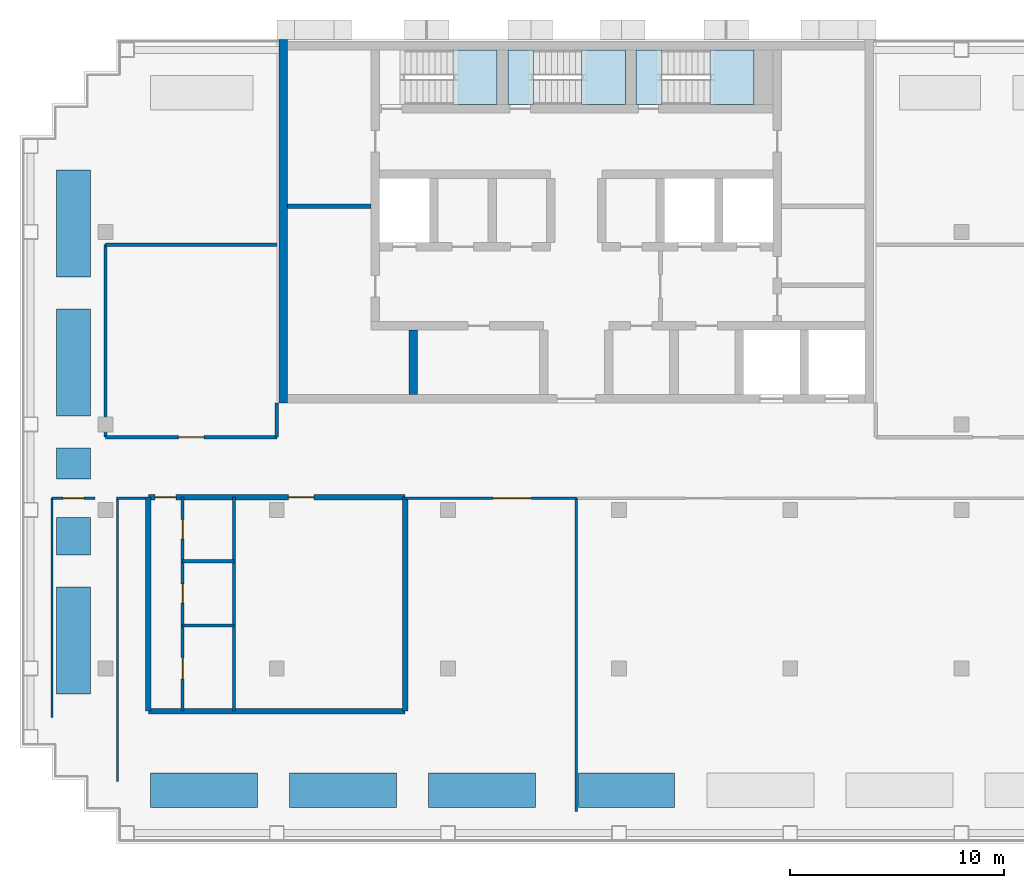
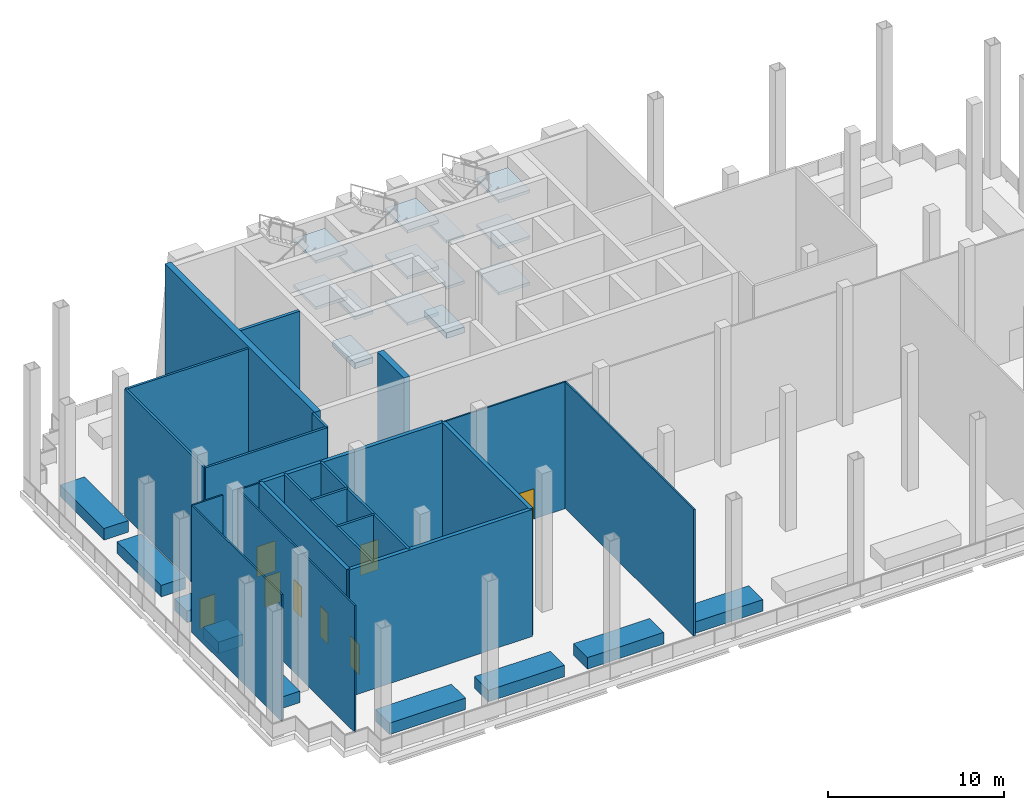
# One storey, part 2 of 9: 30 walls, 14 slabs, 8 doors, 8 openings, 3 elements without a shape of their own.
"""IFC4 building model written with IfcOpenShell, lengths in metres."""

from ifc_helpers import new_model, si_unit, direction, frame, frame_2d, origin, place, context, subcontext, project, spatial, polyline, rectangle, outline, extrude, material, layer, layer_set, type_object, element, fill, aggregate, save


model = new_model("IFC4")

# Units and contexts
model_context = context("Model", 3, precision=1e-05, world=origin(), true_north=direction((0.0, 1.0)))
body_context = subcontext(model_context, "Body", "Model", "MODEL_VIEW")
ifc_project = project(units=[si_unit("LENGTHUNIT", "METRE"), si_unit("AREAUNIT", "SQUARE_METRE"), si_unit("VOLUMEUNIT", "CUBIC_METRE"), si_unit("PLANEANGLEUNIT", "RADIAN"), si_unit("MASSUNIT", "GRAM", prefix="KILO")], contexts=[model_context])

# Site, building, storey
site_placement = place(None, origin())
site = spatial("IfcSite", under=ifc_project, at=site_placement, CompositionType="ELEMENT")
building_placement = place(site_placement, origin())
building = spatial("IfcBuilding", under=site, at=building_placement, Name="Vidyagriha Tower", CompositionType="ELEMENT")
storey_placement = place(building_placement, frame((0.0, 0.0, 194.10009765625)))
storey = spatial("IfcBuildingStorey", under=building, at=storey_placement, Name="L51", CompositionType="ELEMENT", Elevation=194.10009765625)

# Slabs
ifc_material_1 = material(Name="Concrete C40/50", Category="concrete")
ifc_layer_1 = layer(ifc_material_1, 0.39990234375)
ifc_layer_set_1 = layer_set([ifc_layer_1], Name="Concrete C40/50")
slab_type_1 = type_object("IfcSlabType", Name="Exit stair floor landing 400 mm", PredefinedType="LANDING", material=ifc_layer_set_1)
slab_1_placement = place(storey_placement, frame((0.0, 0.0, -0.400146484375)))
element("IfcSlab", 1, at=slab_1_placement, inside=storey, type_object=slab_type_1, Name="ST2 floor landing L51", PredefinedType="LANDING", context=body_context, shape_type="SweptSolid", body=[
    extrude(outline(polyline([(-3.199951171875, 16.949951171875), (-2.0, 16.949951171875), (-2.0, 19.5), (-3.199951171875, 19.5), (-3.199951171875, 16.949951171875)])), origin(), (0.0, 0.0, 1.0), 0.400146484375),
])
slab_2_placement = place(storey_placement, frame((0.0, 0.0, -0.400146484375)))
element("IfcSlab", 2, at=slab_2_placement, inside=storey, type_object=slab_type_1, Name="ST3 floor landing L51", PredefinedType="LANDING", context=body_context, shape_type="SweptSolid", body=[
    extrude(outline(polyline([(2.800048828125, 16.949951171875), (4.0, 16.949951171875), (4.0, 19.5), (2.800048828125, 19.5), (2.800048828125, 16.949951171875)])), origin(), (0.0, 0.0, 1.0), 0.400146484375),
])

# Stair, slabs
ifc_material_2 = material(Name="Concrete C40/50", Category="concrete")
stair_type = type_object("IfcStairType", Name="Exit stair, half-turn, precast flights", PredefinedType="HALF_TURN_STAIR", material=ifc_material_2)
stair_1_placement = place(storey_placement, origin())
stair_1 = element("IfcStair", 3, at=stair_1_placement, inside=storey, type_object=stair_type, Name="L51 Exit Stair ST1", PredefinedType="HALF_TURN_STAIR")
ifc_material_3 = material(Name="Concrete C40/50", Category="concrete")
ifc_layer_2 = layer(ifc_material_3, 0.199951171875)
ifc_layer_set_2 = layer_set([ifc_layer_2], Name="Concrete C40/50")
slab_type_2 = type_object("IfcSlabType", Name="Exit stair landing 200 mm", PredefinedType="LANDING", material=ifc_layer_set_2)
slab_3_placement = place(storey_placement, frame((0.0, 0.0, 4.599853515625)))
slab_3 = element("IfcSlab", 4, at=slab_3_placement, type_object=slab_type_2, Name="ST1 landing 3", PredefinedType="LANDING", context=body_context, shape_type="SweptSolid", body=[
    extrude(outline(polyline([(-5.760009765625, 16.949951171875), (-3.699951171875, 16.949951171875), (-3.699951171875, 19.5), (-5.760009765625, 19.5), (-5.760009765625, 16.949951171875)])), origin(), (0.0, 0.0, 1.0), 0.199951171875),
])
slab_4_placement = place(storey_placement, frame((0.0, 0.0, 7.7998046875)))
slab_4 = element("IfcSlab", 5, at=slab_4_placement, type_object=slab_type_2, Name="ST1 landing 5", PredefinedType="LANDING", context=body_context, shape_type="SweptSolid", body=[
    extrude(outline(polyline([(-5.760009765625, 16.949951171875), (-3.699951171875, 16.949951171875), (-3.699951171875, 19.5), (-5.760009765625, 19.5), (-5.760009765625, 16.949951171875)])), origin(), (0.0, 0.0, 1.0), 0.2001953125),
])
aggregate(stair_1, [slab_3, slab_4])

stair_2_placement = place(storey_placement, origin())
stair_2 = element("IfcStair", 6, at=stair_2_placement, inside=storey, type_object=stair_type, Name="L51 Exit Stair ST2", PredefinedType="HALF_TURN_STAIR")
slab_5_placement = place(storey_placement, frame((0.0, 0.0, 1.39990234375)))
slab_5 = element("IfcSlab", 7, at=slab_5_placement, type_object=slab_type_2, Name="ST2 landing 1", PredefinedType="LANDING", context=body_context, shape_type="SweptSolid", body=[
    extrude(outline(polyline([(0.239990234375, 16.949951171875), (2.300048828125, 16.949951171875), (2.300048828125, 19.5), (0.239990234375, 19.5), (0.239990234375, 16.949951171875)])), origin(), (0.0, 0.0, 1.0), 0.199951171875),
])
slab_6_placement = place(storey_placement, frame((0.0, 0.0, 3.0)))
slab_6 = element("IfcSlab", 8, at=slab_6_placement, type_object=slab_type_2, Name="ST2 landing 2", PredefinedType="LANDING", context=body_context, shape_type="SweptSolid", body=[
    extrude(outline(polyline([(-3.199951171875, 16.949951171875), (-2.0, 16.949951171875), (-2.0, 19.5), (-3.199951171875, 19.5), (-3.199951171875, 16.949951171875)])), origin(), (0.0, 0.0, 1.0), 0.199951171875),
])
slab_7_placement = place(storey_placement, frame((0.0, 0.0, 4.599853515625)))
slab_7 = element("IfcSlab", 9, at=slab_7_placement, type_object=slab_type_2, Name="ST2 landing 3", PredefinedType="LANDING", context=body_context, shape_type="SweptSolid", body=[
    extrude(outline(polyline([(0.239990234375, 16.949951171875), (2.300048828125, 16.949951171875), (2.300048828125, 19.5), (0.239990234375, 19.5), (0.239990234375, 16.949951171875)])), origin(), (0.0, 0.0, 1.0), 0.199951171875),
])
slab_8_placement = place(storey_placement, frame((0.0, 0.0, 6.199951171875)))
slab_8 = element("IfcSlab", 10, at=slab_8_placement, type_object=slab_type_2, Name="ST2 landing 4", PredefinedType="LANDING", context=body_context, shape_type="SweptSolid", body=[
    extrude(outline(polyline([(-3.199951171875, 16.949951171875), (-2.0, 16.949951171875), (-2.0, 19.5), (-3.199951171875, 19.5), (-3.199951171875, 16.949951171875)])), origin(), (0.0, 0.0, 1.0), 0.199951171875),
])
slab_9_placement = place(storey_placement, frame((0.0, 0.0, 7.7998046875)))
slab_9 = element("IfcSlab", 11, at=slab_9_placement, type_object=slab_type_2, Name="ST2 landing 5", PredefinedType="LANDING", context=body_context, shape_type="SweptSolid", body=[
    extrude(outline(polyline([(0.239990234375, 16.949951171875), (2.300048828125, 16.949951171875), (2.300048828125, 19.5), (0.239990234375, 19.5), (0.239990234375, 16.949951171875)])), origin(), (0.0, 0.0, 1.0), 0.2001953125),
])
aggregate(stair_2, [slab_5, slab_6, slab_7, slab_8, slab_9])

stair_3_placement = place(storey_placement, origin())
stair_3 = element("IfcStair", 12, at=stair_3_placement, inside=storey, type_object=stair_type, Name="L51 Exit Stair ST3", PredefinedType="HALF_TURN_STAIR")
slab_10_placement = place(storey_placement, frame((0.0, 0.0, 1.39990234375)))
slab_10 = element("IfcSlab", 13, at=slab_10_placement, type_object=slab_type_2, Name="ST3 landing 1", PredefinedType="LANDING", context=body_context, shape_type="SweptSolid", body=[
    extrude(outline(polyline([(6.239990234375, 16.949951171875), (8.300048828125, 16.949951171875), (8.300048828125, 19.5), (6.239990234375, 19.5), (6.239990234375, 16.949951171875)])), origin(), (0.0, 0.0, 1.0), 0.199951171875),
])
slab_11_placement = place(storey_placement, frame((0.0, 0.0, 3.0)))
slab_11 = element("IfcSlab", 14, at=slab_11_placement, type_object=slab_type_2, Name="ST3 landing 2", PredefinedType="LANDING", context=body_context, shape_type="SweptSolid", body=[
    extrude(outline(polyline([(2.800048828125, 16.949951171875), (4.0, 16.949951171875), (4.0, 19.5), (2.800048828125, 19.5), (2.800048828125, 16.949951171875)])), origin(), (0.0, 0.0, 1.0), 0.199951171875),
])
slab_12_placement = place(storey_placement, frame((0.0, 0.0, 4.599853515625)))
slab_12 = element("IfcSlab", 15, at=slab_12_placement, type_object=slab_type_2, Name="ST3 landing 3", PredefinedType="LANDING", context=body_context, shape_type="SweptSolid", body=[
    extrude(outline(polyline([(6.239990234375, 16.949951171875), (8.300048828125, 16.949951171875), (8.300048828125, 19.5), (6.239990234375, 19.5), (6.239990234375, 16.949951171875)])), origin(), (0.0, 0.0, 1.0), 0.199951171875),
])
slab_13_placement = place(storey_placement, frame((0.0, 0.0, 6.199951171875)))
slab_13 = element("IfcSlab", 16, at=slab_13_placement, type_object=slab_type_2, Name="ST3 landing 4", PredefinedType="LANDING", context=body_context, shape_type="SweptSolid", body=[
    extrude(outline(polyline([(2.800048828125, 16.949951171875), (4.0, 16.949951171875), (4.0, 19.5), (2.800048828125, 19.5), (2.800048828125, 16.949951171875)])), origin(), (0.0, 0.0, 1.0), 0.199951171875),
])
slab_14_placement = place(storey_placement, frame((0.0, 0.0, 7.7998046875)))
slab_14 = element("IfcSlab", 17, at=slab_14_placement, type_object=slab_type_2, Name="ST3 landing 5", PredefinedType="LANDING", context=body_context, shape_type="SweptSolid", body=[
    extrude(outline(polyline([(6.239990234375, 16.949951171875), (8.300048828125, 16.949951171875), (8.300048828125, 19.5), (6.239990234375, 19.5), (6.239990234375, 16.949951171875)])), origin(), (0.0, 0.0, 1.0), 0.2001953125),
])
aggregate(stair_3, [slab_10, slab_11, slab_12, slab_13, slab_14])

# Walls
ifc_material_4 = material(Name="Precast concrete C40/50 with brick facing", Category="concrete")
ifc_layer_3 = layer(ifc_material_4, 1.60009765625)
ifc_layer_set_3 = layer_set([ifc_layer_3], Name="Precast concrete C40/50 with brick facing")
wall_type_1 = type_object("IfcWallType", Name="Brick planter box 1600", PredefinedType="STANDARD", material=ifc_layer_set_3)
for number, where, z_axis, x_axis, name in (
    (18, (-23.5, 13.89990234375, 0.0), (0.0, 0.0, 1.0), (0.0, -1.0, 0.0), "PLANTER L51 5"),
    (19, (-23.5, 7.39990234375, 0.0), (0.0, 0.0, 1.0), (0.0, -1.0, 0.0), "PLANTER L51 6"),
    (20, (-23.5, -5.60009765625, 0.0), (0.0, 0.0, 1.0), (0.0, -1.0, 0.0), "PLANTER L51 8"),
):
    element("IfcWall", number, at=place(storey_placement, frame(where, z_axis=z_axis, x_axis=x_axis)), inside=storey, type_object=wall_type_1, Name=name, PredefinedType="STANDARD", context=body_context, shape_type="SweptSolid", body=[
        extrude(rectangle(XDim=5.0, YDim=1.60009765625, at=frame_2d((2.5, 0.0))), origin(), (0.0, 0.0, 1.0), 0.7998046875),
    ])
for number, where, name in (
    (21, (-19.89990234375, -15.10009765625, 0.0), "PLANTER L51 9"),
    (22, (-13.39990234375, -15.10009765625, 0.0), "PLANTER L51 10"),
    (23, (-6.89990234375, -15.10009765625, 0.0), "PLANTER L51 11"),
):
    element("IfcWall", number, at=place(storey_placement, frame(where)), inside=storey, type_object=wall_type_1, Name=name, PredefinedType="STANDARD", context=body_context, shape_type="SweptSolid", body=[
        extrude(rectangle(XDim=5.0, YDim=1.60009765625, at=frame_2d((2.5, 0.0))), origin(), (0.0, 0.0, 1.0), 0.7998046875),
    ])
wall_1_placement = place(storey_placement, frame((-23.5, 0.89990234375, 0.0), z_axis=(0.0, 0.0, 1.0), x_axis=(0.0, -1.0, 0.0)))
element("IfcWall", 24, at=wall_1_placement, inside=storey, type_object=wall_type_1, Name="PLANTER L51 7", PredefinedType="STANDARD", context=body_context, shape_type="SweptSolid", body=[
    extrude(rectangle(XDim=1.449951171875, YDim=1.60009765625, at=frame_2d((0.72509765625, 0.0))), origin(), (0.0, 0.0, 1.0), 0.7998046875),
])
wall_2_placement = place(storey_placement, frame((-23.5, -2.35009765625, 0.0), z_axis=(0.0, 0.0, 1.0), x_axis=(0.0, -1.0, 0.0)))
element("IfcWall", 25, at=wall_2_placement, inside=storey, type_object=wall_type_1, Name="PLANTER L51 7", PredefinedType="STANDARD", context=body_context, shape_type="SweptSolid", body=[
    extrude(rectangle(XDim=1.75, YDim=1.60009765625, at=frame_2d((0.875, 0.0))), origin(), (0.0, 0.0, 1.0), 0.7998046875),
])
wall_3_placement = place(storey_placement, frame((0.10009765625, -15.10009765625, 0.0)))
element("IfcWall", 26, at=wall_3_placement, inside=storey, type_object=wall_type_1, Name="PLANTER L51 12", PredefinedType="STANDARD", context=body_context, shape_type="SweptSolid", body=[
    extrude(rectangle(XDim=4.5, YDim=1.60009765625, at=frame_2d((2.25, 0.0))), origin(), (0.0, 0.0, 1.0), 0.7998046875),
])
ifc_material_5 = material(Name="Concrete C60/75", Category="concrete")
ifc_layer_4 = layer(ifc_material_5, 0.39990234375)
ifc_layer_set_4 = layer_set([ifc_layer_4], Name="Concrete C60/75")
wall_type_2 = type_object("IfcWallType", Name="Core shear wall 400 mm", PredefinedType="SHEAR", material=ifc_layer_set_4)
wall_4_placement = place(storey_placement, frame((-13.699951171875, 3.0, 0.0), z_axis=(0.0, 0.0, 1.0), x_axis=(0.0, 1.0, 0.0)))
element("IfcWall", 27, at=wall_4_placement, inside=storey, type_object=wall_type_2, Name="Core west wall", PredefinedType="SHEAR", context=body_context, shape_type="SweptSolid", body=[
    extrude(rectangle(XDim=17.0, YDim=0.39990234375, at=frame_2d((8.5, 0.0))), origin(), (0.0, 0.0, 1.0), 8.7998046875),
])
wall_5_placement = place(storey_placement, frame((-7.611083984375, 3.39990234375, 0.0), z_axis=(0.0, 0.0, 1.0), x_axis=(0.0, 1.0, 0.0)))
element("IfcWall", 28, at=wall_5_placement, inside=storey, type_object=wall_type_2, Name="Core bay wall S2", PredefinedType="SHEAR", context=body_context, shape_type="SweptSolid", body=[
    extrude(rectangle(XDim=3.0, YDim=0.39990234375, at=frame_2d((1.5, 0.0))), origin(), (0.0, 0.0, 1.0), 8.7998046875),
])
ifc_material_6 = material(Name="Fired clay brick masonry", Category="masonry")
ifc_layer_5 = layer(ifc_material_6, 0.25)
ifc_layer_set_5 = layer_set([ifc_layer_5], Name="Fired clay brick masonry")
wall_type_3 = type_object("IfcWallType", Name="Fired clay brick corridor wall 250", PredefinedType="PARTITIONING", material=ifc_layer_set_5)
wall_6_placement = place(storey_placement, frame((-20.0, -11.39990234375, 0.0)))
element("IfcWall", 29, at=wall_6_placement, inside=storey, type_object=wall_type_3, Name="Wall all-L51-w001", PredefinedType="PARTITIONING", context=body_context, shape_type="SweptSolid", body=[
    extrude(rectangle(XDim=12.0, YDim=0.25, at=frame_2d((6.0, 0.0))), origin(), (0.0, 0.0, 1.0), 8.7998046875),
])
for number, where, z_axis, x_axis, name in (
    (30, (-20.0, -1.39990234375, 0.0), (0.0, 0.0, 1.0), (0.0, -1.0, 0.0), "Wall all-L51-w002"),
    (31, (-8.0, -11.39990234375, 0.0), (0.0, 0.0, 1.0), (0.0, 1.0, 0.0), "Wall all-L51-w003"),
):
    element("IfcWall", number, at=place(storey_placement, frame(where, z_axis=z_axis, x_axis=x_axis)), inside=storey, type_object=wall_type_3, Name=name, PredefinedType="PARTITIONING", context=body_context, shape_type="SweptSolid", body=[
        extrude(rectangle(XDim=10.0, YDim=0.25, at=frame_2d((5.0, 0.0))), origin(), (0.0, 0.0, 1.0), 8.7998046875),
    ])

# Wall, openings, doors
wall_7_placement = place(storey_placement, frame((-8.0, -1.39990234375, 0.0), z_axis=(0.0, 0.0, 1.0), x_axis=(-1.0, 0.0, 0.0)))
wall_7 = element("IfcWall", 32, at=wall_7_placement, inside=storey, type_object=wall_type_3, Name="Wall all-L51-w004", PredefinedType="PARTITIONING", context=body_context, shape_type="SweptSolid", body=[
    extrude(rectangle(XDim=12.0, YDim=0.25, at=frame_2d((6.0, 0.0))), origin(), (0.0, 0.0, 1.0), 8.7998046875),
])
opening_1_placement = place(wall_7_placement, frame((10.699951171875, 0.0, 0.0)))
opening_1 = element("IfcOpeningElement", 33, at=opening_1_placement, cuts=wall_7, Name="Opening D51-17", PredefinedType="OPENING", context=body_context, shape_type="SweptSolid", body=[
    extrude(rectangle(XDim=1.0, YDim=2.10009765625, at=frame_2d((0.5, 1.050048828125))), frame((0.0, 0.135009765625, 0.0), z_axis=(0.0, -1.0, 0.0), x_axis=(1.0, 0.0, 0.0)), (0.0, 0.0, 1.0), 0.27001953125),
])
opening_2_placement = place(wall_7_placement, frame((4.2529296875, 0.0, 0.0)))
opening_2 = element("IfcOpeningElement", 34, at=opening_2_placement, cuts=wall_7, Name="Opening D51-18", PredefinedType="OPENING", context=body_context, shape_type="SweptSolid", body=[
    extrude(rectangle(XDim=1.199951171875, YDim=2.10009765625, at=frame_2d((0.60009765625, 1.050048828125))), frame((0.0, 0.135009765625, 0.0), z_axis=(0.0, -1.0, 0.0), x_axis=(1.0, 0.0, 0.0)), (0.0, 0.0, 1.0), 0.27001953125),
])
ifc_material_7 = material(Name="Timber door leaf", Category="wood")
door_type_1 = type_object("IfcDoorType", Name="Bathroom door 1000x2100", OperationType="NOTDEFINED", PredefinedType="DOOR", material=ifc_material_7)
door_1_placement = place(opening_1_placement, origin())
door_1 = element("IfcDoor", 35, at=door_1_placement, inside=storey, type_object=door_type_1, Name="Door D51-17", OperationType="SINGLE_SWING_LEFT", OverallHeight=2.10009765625, OverallWidth=1.0, PredefinedType="DOOR", context=body_context, shape_type="SweptSolid", body=[
    extrude(rectangle(XDim=1.0, YDim=2.10009765625, at=frame_2d((0.5, 1.050048828125))), frame((0.0, 0.02490234375, 0.0), z_axis=(0.0, -1.0, 0.0), x_axis=(1.0, 0.0, 0.0)), (0.0, 0.0, 1.0), 0.050048828125),
])
fill(opening_1, door_1)
ifc_material_8 = material(Name="Timber door leaf", Category="wood")
door_type_2 = type_object("IfcDoorType", Name="Room door 1200x2100", OperationType="NOTDEFINED", PredefinedType="DOOR", material=ifc_material_8)
door_2_placement = place(opening_2_placement, origin())
door_2 = element("IfcDoor", 36, at=door_2_placement, inside=storey, type_object=door_type_2, Name="Door D51-18", OperationType="SINGLE_SWING_RIGHT", OverallHeight=2.10009765625, OverallWidth=1.199951171875, PredefinedType="DOOR", context=body_context, shape_type="SweptSolid", body=[
    extrude(rectangle(XDim=1.199951171875, YDim=2.10009765625, at=frame_2d((0.60009765625, 1.050048828125))), frame((0.0, 0.02490234375, 0.0), z_axis=(0.0, -1.0, 0.0), x_axis=(1.0, 0.0, 0.0)), (0.0, 0.0, 1.0), 0.050048828125),
])
fill(opening_2, door_2)

# Wall, opening, door
ifc_material_9 = material(Name="Glass clear low-iron", Category="glass")
ifc_layer_6 = layer(ifc_material_9, 0.10009765625)
ifc_layer_set_6 = layer_set([ifc_layer_6], Name="Glass clear low-iron")
wall_type_4 = type_object("IfcWallType", Name="Glazed partition 100", PredefinedType="PARTITIONING", material=ifc_layer_set_6)
wall_8_placement = place(storey_placement, frame((-24.5, -1.449951171875, 0.0)))
wall_8 = element("IfcWall", 37, at=wall_8_placement, inside=storey, type_object=wall_type_4, Name="Wall all-L51-w024", PredefinedType="PARTITIONING", context=body_context, shape_type="SweptSolid", body=[
    extrude(rectangle(XDim=2.0, YDim=0.10009765625, at=frame_2d((1.0, 0.0))), origin(), (0.0, 0.0, 1.0), 8.7998046875),
])
opening_3_placement = place(wall_8_placement, frame((0.5, 0.0, 0.0)))
opening_3 = element("IfcOpeningElement", 38, at=opening_3_placement, cuts=wall_8, Name="Opening D51-24", PredefinedType="OPENING", context=body_context, shape_type="SweptSolid", body=[
    extrude(rectangle(XDim=1.0, YDim=2.10009765625, at=frame_2d((0.5, 1.050048828125))), frame((0.0, 0.06005859375, 0.0), z_axis=(0.0, -1.0, 0.0), x_axis=(1.0, 0.0, 0.0)), (0.0, 0.0, 1.0), 0.1201171875),
])
ifc_material_10 = material(Name="Timber door leaf", Category="wood")
door_type_3 = type_object("IfcDoorType", Name="Room door 1000x2100", OperationType="NOTDEFINED", PredefinedType="DOOR", material=ifc_material_10)
door_3_placement = place(opening_3_placement, origin())
door_3 = element("IfcDoor", 39, at=door_3_placement, inside=storey, type_object=door_type_3, Name="Door D51-24", OperationType="SINGLE_SWING_LEFT", OverallHeight=2.10009765625, OverallWidth=1.0, PredefinedType="DOOR", context=body_context, shape_type="SweptSolid", body=[
    extrude(rectangle(XDim=1.0, YDim=2.10009765625, at=frame_2d((0.5, 1.050048828125))), frame((0.0, 0.02490234375, 0.0), z_axis=(0.0, -1.0, 0.0), x_axis=(1.0, 0.0, 0.0)), (0.0, 0.0, 1.0), 0.050048828125),
])
fill(opening_3, door_3)

# Wall
wall_9_placement = place(storey_placement, frame((-21.5, -1.449951171875, 0.0)))
element("IfcWall", 40, at=wall_9_placement, inside=storey, type_object=wall_type_4, Name="Wall all-L51-w025", PredefinedType="PARTITIONING", context=body_context, shape_type="SweptSolid", body=[
    extrude(rectangle(XDim=1.39990234375, YDim=0.10009765625, at=frame_2d((0.699951171875, 0.0))), origin(), (0.0, 0.0, 1.0), 8.7998046875),
])

# Wall, opening, door
wall_10_placement = place(storey_placement, frame((-8.0, -1.449951171875, 0.0)))
wall_10 = element("IfcWall", 41, at=wall_10_placement, inside=storey, type_object=wall_type_4, Name="Wall all-L51-w026", PredefinedType="PARTITIONING", context=body_context, shape_type="SweptSolid", body=[
    extrude(rectangle(XDim=8.0, YDim=0.10009765625, at=frame_2d((4.0, 0.0))), origin(), (0.0, 0.0, 1.0), 8.7998046875),
])
opening_4_placement = place(wall_10_placement, frame((4.10009765625, 0.0, 0.0)))
opening_4 = element("IfcOpeningElement", 42, at=opening_4_placement, cuts=wall_10, Name="Opening D51-25", PredefinedType="OPENING", context=body_context, shape_type="SweptSolid", body=[
    extrude(rectangle(XDim=1.800048828125, YDim=2.10009765625, at=frame_2d((0.89990234375, 1.050048828125))), frame((0.0, 0.06005859375, 0.0), z_axis=(0.0, -1.0, 0.0), x_axis=(1.0, 0.0, 0.0)), (0.0, 0.0, 1.0), 0.1201171875),
])
ifc_material_11 = material(Name="Timber door leaf", Category="wood")
door_type_4 = type_object("IfcDoorType", Name="Room door 1800x2100", OperationType="NOTDEFINED", PredefinedType="DOOR", material=ifc_material_11)
door_4_placement = place(opening_4_placement, origin())
door_4 = element("IfcDoor", 43, at=door_4_placement, inside=storey, type_object=door_type_4, Name="Door D51-25", OperationType="DOUBLE_DOOR_SINGLE_SWING", OverallHeight=2.10009765625, OverallWidth=1.800048828125, PredefinedType="DOOR", context=body_context, shape_type="SweptSolid", body=[
    extrude(rectangle(XDim=1.800048828125, YDim=2.10009765625, at=frame_2d((0.89990234375, 1.050048828125))), frame((0.0, 0.02490234375, 0.0), z_axis=(0.0, -1.0, 0.0), x_axis=(1.0, 0.0, 0.0)), (0.0, 0.0, 1.0), 0.050048828125),
])
fill(opening_4, door_4)

# Walls
wall_11_placement = place(storey_placement, frame((0.0, -1.449951171875, 0.0), z_axis=(0.0, 0.0, 1.0), x_axis=(0.0, -1.0, 0.0)))
element("IfcWall", 44, at=wall_11_placement, inside=storey, type_object=wall_type_4, Name="Wall all-L51-w036", PredefinedType="PARTITIONING", context=body_context, shape_type="SweptSolid", body=[
    extrude(rectangle(XDim=14.650146484375, YDim=0.10009765625, at=frame_2d((7.3251953125, 0.0))), origin(), (0.0, 0.0, 1.0), 8.7998046875),
])
wall_12_placement = place(storey_placement, frame((-21.449951171875, -1.449951171875, 0.0), z_axis=(0.0, 0.0, 1.0), x_axis=(0.0, -1.0, 0.0)))
element("IfcWall", 45, at=wall_12_placement, inside=storey, type_object=wall_type_4, Name="Wall all-L51-w037", PredefinedType="PARTITIONING", context=body_context, shape_type="SweptSolid", body=[
    extrude(rectangle(XDim=13.2509765625, YDim=0.10009765625, at=frame_2d((6.62548828125, 0.0))), origin(), (0.0, 0.0, 1.0), 8.7998046875),
])
wall_13_placement = place(storey_placement, frame((-24.5, -1.449951171875, 0.0), z_axis=(0.0, 0.0, 1.0), x_axis=(0.0, -1.0, 0.0)))
element("IfcWall", 46, at=wall_13_placement, inside=storey, type_object=wall_type_4, Name="Wall all-L51-w038", PredefinedType="PARTITIONING", context=body_context, shape_type="SweptSolid", body=[
    extrude(rectangle(XDim=10.2509765625, YDim=0.10009765625, at=frame_2d((5.12548828125, 0.0))), origin(), (0.0, 0.0, 1.0), 8.7998046875),
])
ifc_material_12 = material(Name="Gypsum board partition")
ifc_layer_7 = layer(ifc_material_12, 0.14990234375)
ifc_layer_set_7 = layer_set([ifc_layer_7], Name="Gypsum board partition")
wall_type_5 = type_object("IfcWallType", Name="Gypsum board partition 150", PredefinedType="PARTITIONING", material=ifc_layer_set_7)
wall_14_placement = place(storey_placement, frame((-16.0, -1.39990234375, 0.0), z_axis=(0.0, 0.0, 1.0), x_axis=(0.0, -1.0, 0.0)))
element("IfcWall", 47, at=wall_14_placement, inside=storey, type_object=wall_type_5, Name="Wall all-L51-w008", PredefinedType="PARTITIONING", context=body_context, shape_type="SweptSolid", body=[
    extrude(rectangle(XDim=10.0, YDim=0.14990234375, at=frame_2d((5.0, 0.0))), origin(), (0.0, 0.0, 1.0), 8.7998046875),
])
for number, where, name in (
    (48, (-18.39990234375, -4.39990234375, 0.0), "Wall all-L51-w009"),
    (49, (-18.39990234375, -7.39990234375, 0.0), "Wall all-L51-w010"),
):
    element("IfcWall", number, at=place(storey_placement, frame(where)), inside=storey, type_object=wall_type_5, Name=name, PredefinedType="PARTITIONING", context=body_context, shape_type="SweptSolid", body=[
        extrude(rectangle(XDim=2.39990234375, YDim=0.14990234375, at=frame_2d((1.199951171875, 0.0))), origin(), (0.0, 0.0, 1.0), 8.7998046875),
    ])
wall_15_placement = place(storey_placement, frame((-22.0, 10.39990234375, 0.0), z_axis=(0.0, 0.0, 1.0), x_axis=(0.0, -1.0, 0.0)))
element("IfcWall", 50, at=wall_15_placement, inside=storey, type_object=wall_type_5, Name="Wall all-L51-w014", PredefinedType="PARTITIONING", context=body_context, shape_type="SweptSolid", body=[
    extrude(rectangle(XDim=9.0, YDim=0.14990234375, at=frame_2d((4.5, 0.0))), origin(), (0.0, 0.0, 1.0), 8.7998046875),
])
wall_16_placement = place(storey_placement, frame((-14.0, 10.39990234375, 0.0), z_axis=(0.0, 0.0, 1.0), x_axis=(-1.0, 0.0, 0.0)))
element("IfcWall", 51, at=wall_16_placement, inside=storey, type_object=wall_type_5, Name="Wall all-L51-w015", PredefinedType="PARTITIONING", context=body_context, shape_type="SweptSolid", body=[
    extrude(rectangle(XDim=8.0, YDim=0.14990234375, at=frame_2d((4.0, 0.0))), origin(), (0.0, 0.0, 1.0), 8.7998046875),
])

# Wall, opening, door
wall_17_placement = place(storey_placement, frame((-22.0, 1.39990234375, 0.0)))
wall_17 = element("IfcWall", 52, at=wall_17_placement, inside=storey, type_object=wall_type_5, Name="Wall all-L51-w016", PredefinedType="PARTITIONING", context=body_context, shape_type="SweptSolid", body=[
    extrude(rectangle(XDim=8.0, YDim=0.14990234375, at=frame_2d((4.0, 0.0))), origin(), (0.0, 0.0, 1.0), 8.7998046875),
])
opening_5_placement = place(wall_17_placement, frame((3.39990234375, 0.0, 0.0)))
opening_5 = element("IfcOpeningElement", 53, at=opening_5_placement, cuts=wall_17, Name="Opening D51-22", PredefinedType="OPENING", context=body_context, shape_type="SweptSolid", body=[
    extrude(rectangle(XDim=1.199951171875, YDim=2.10009765625, at=frame_2d((0.60009765625, 1.050048828125))), frame((0.0, 0.0849609375, 0.0), z_axis=(0.0, -1.0, 0.0), x_axis=(1.0, 0.0, 0.0)), (0.0, 0.0, 1.0), 0.169921875),
])
door_5_placement = place(opening_5_placement, origin())
door_5 = element("IfcDoor", 54, at=door_5_placement, inside=storey, type_object=door_type_2, Name="Door D51-22", OperationType="SINGLE_SWING_RIGHT", OverallHeight=2.10009765625, OverallWidth=1.199951171875, PredefinedType="DOOR", context=body_context, shape_type="SweptSolid", body=[
    extrude(rectangle(XDim=1.199951171875, YDim=2.10009765625, at=frame_2d((0.60009765625, 1.050048828125))), frame((0.0, 0.02490234375, 0.0), z_axis=(0.0, -1.0, 0.0), x_axis=(1.0, 0.0, 0.0)), (0.0, 0.0, 1.0), 0.050048828125),
])
fill(opening_5, door_5)

# Wall
wall_18_placement = place(storey_placement, frame((-14.0, 1.39990234375, 0.0), z_axis=(0.0, 0.0, 1.0), x_axis=(0.0, 1.0, 0.0)))
element("IfcWall", 55, at=wall_18_placement, inside=storey, type_object=wall_type_5, Name="Wall all-L51-w017", PredefinedType="PARTITIONING", context=body_context, shape_type="SweptSolid", body=[
    extrude(rectangle(XDim=1.60009765625, YDim=0.14990234375, at=frame_2d((0.800048828125, 0.0))), origin(), (0.0, 0.0, 1.0), 8.7998046875),
])

# Wall, openings, doors
ifc_material_13 = material(Name="Moisture resistant gypsum board partition")
ifc_layer_8 = layer(ifc_material_13, 0.14990234375)
ifc_layer_set_8 = layer_set([ifc_layer_8], Name="Moisture resistant gypsum board partition")
wall_type_6 = type_object("IfcWallType", Name="Gypsum board wet-area partition 150", PredefinedType="PARTITIONING", material=ifc_layer_set_8)
wall_19_placement = place(storey_placement, frame((-18.39990234375, -1.39990234375, 0.0), z_axis=(0.0, 0.0, 1.0), x_axis=(0.0, -1.0, 0.0)))
wall_19 = element("IfcWall", 56, at=wall_19_placement, inside=storey, type_object=wall_type_6, Name="Wall all-L51-w007", PredefinedType="PARTITIONING", context=body_context, shape_type="SweptSolid", body=[
    extrude(rectangle(XDim=10.0, YDim=0.14990234375, at=frame_2d((5.0, 0.0))), origin(), (0.0, 0.0, 1.0), 8.7998046875),
])
opening_6_placement = place(wall_19_placement, frame((1.050048828125, 0.0, 0.0)))
opening_6 = element("IfcOpeningElement", 57, at=opening_6_placement, cuts=wall_19, Name="Opening D51-19", PredefinedType="OPENING", context=body_context, shape_type="SweptSolid", body=[
    extrude(rectangle(XDim=0.89990234375, YDim=2.10009765625, at=frame_2d((0.449951171875, 1.050048828125))), frame((0.0, 0.0849609375, 0.0), z_axis=(0.0, -1.0, 0.0), x_axis=(1.0, 0.0, 0.0)), (0.0, 0.0, 1.0), 0.169921875),
])
opening_7_placement = place(wall_19_placement, frame((4.050048828125, 0.0, 0.0)))
opening_7 = element("IfcOpeningElement", 58, at=opening_7_placement, cuts=wall_19, Name="Opening D51-20", PredefinedType="OPENING", context=body_context, shape_type="SweptSolid", body=[
    extrude(rectangle(XDim=0.89990234375, YDim=2.10009765625, at=frame_2d((0.449951171875, 1.050048828125))), frame((0.0, 0.0849609375, 0.0), z_axis=(0.0, -1.0, 0.0), x_axis=(1.0, 0.0, 0.0)), (0.0, 0.0, 1.0), 0.169921875),
])
opening_8_placement = place(wall_19_placement, frame((7.5, 0.0, 0.0)))
opening_8 = element("IfcOpeningElement", 59, at=opening_8_placement, cuts=wall_19, Name="Opening D51-21", PredefinedType="OPENING", context=body_context, shape_type="SweptSolid", body=[
    extrude(rectangle(XDim=1.0, YDim=2.10009765625, at=frame_2d((0.5, 1.050048828125))), frame((0.0, 0.0849609375, 0.0), z_axis=(0.0, -1.0, 0.0), x_axis=(1.0, 0.0, 0.0)), (0.0, 0.0, 1.0), 0.169921875),
])
door_6_placement = place(opening_8_placement, origin())
door_6 = element("IfcDoor", 60, at=door_6_placement, inside=storey, type_object=door_type_1, Name="Door D51-21", OperationType="SINGLE_SWING_RIGHT", OverallHeight=2.10009765625, OverallWidth=1.0, PredefinedType="DOOR", context=body_context, shape_type="SweptSolid", body=[
    extrude(rectangle(XDim=1.0, YDim=2.10009765625, at=frame_2d((0.5, 1.050048828125))), frame((0.0, 0.02490234375, 0.0), z_axis=(0.0, -1.0, 0.0), x_axis=(1.0, 0.0, 0.0)), (0.0, 0.0, 1.0), 0.050048828125),
])
fill(opening_8, door_6)
ifc_material_14 = material(Name="Timber door leaf", Category="wood")
door_type_5 = type_object("IfcDoorType", Name="Bathroom door 900x2100", OperationType="NOTDEFINED", PredefinedType="DOOR", material=ifc_material_14)
door_7_placement = place(opening_6_placement, origin())
door_7 = element("IfcDoor", 61, at=door_7_placement, inside=storey, type_object=door_type_5, Name="Door D51-19", OperationType="SINGLE_SWING_LEFT", OverallHeight=2.10009765625, OverallWidth=0.89990234375, PredefinedType="DOOR", context=body_context, shape_type="SweptSolid", body=[
    extrude(rectangle(XDim=0.89990234375, YDim=2.10009765625, at=frame_2d((0.449951171875, 1.050048828125))), frame((0.0, 0.02490234375, 0.0), z_axis=(0.0, -1.0, 0.0), x_axis=(1.0, 0.0, 0.0)), (0.0, 0.0, 1.0), 0.050048828125),
])
fill(opening_6, door_7)
door_8_placement = place(opening_7_placement, origin())
door_8 = element("IfcDoor", 62, at=door_8_placement, inside=storey, type_object=door_type_5, Name="Door D51-20", OperationType="SINGLE_SWING_RIGHT", OverallHeight=2.10009765625, OverallWidth=0.89990234375, PredefinedType="DOOR", context=body_context, shape_type="SweptSolid", body=[
    extrude(rectangle(XDim=0.89990234375, YDim=2.10009765625, at=frame_2d((0.449951171875, 1.050048828125))), frame((0.0, 0.02490234375, 0.0), z_axis=(0.0, -1.0, 0.0), x_axis=(1.0, 0.0, 0.0)), (0.0, 0.0, 1.0), 0.050048828125),
])
fill(opening_7, door_8)

# Wall
ifc_material_15 = material(Name="Blockwork 15 MPa", Category="masonry")
ifc_layer_9 = layer(ifc_material_15, 0.199951171875)
ifc_layer_set_9 = layer_set([ifc_layer_9], Name="Blockwork 15 MPa")
wall_type_7 = type_object("IfcWallType", Name="Service room partition 200 mm", PredefinedType="PARTITIONING", material=ifc_layer_set_9)
wall_20_placement = place(storey_placement, frame((-13.5, 12.199951171875, 0.0)))
element("IfcWall", 63, at=wall_20_placement, inside=storey, type_object=wall_type_7, Name="Core room partition W1", PredefinedType="PARTITIONING", context=body_context, shape_type="SweptSolid", body=[
    extrude(rectangle(XDim=3.89990234375, YDim=0.199951171875, at=frame_2d((1.949951171875, 0.0))), origin(), (0.0, 0.0, 1.0), 8.7998046875),
])

save(model, "model.ifc")
